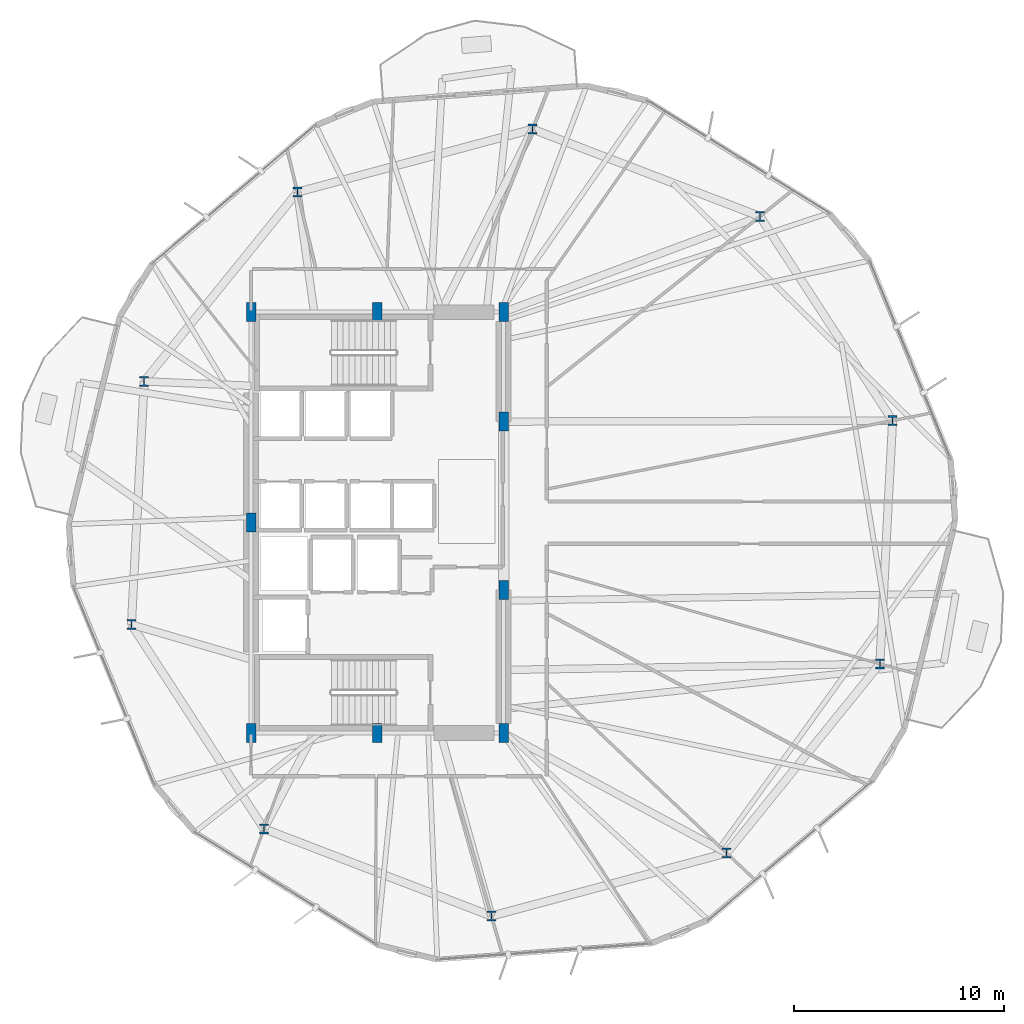
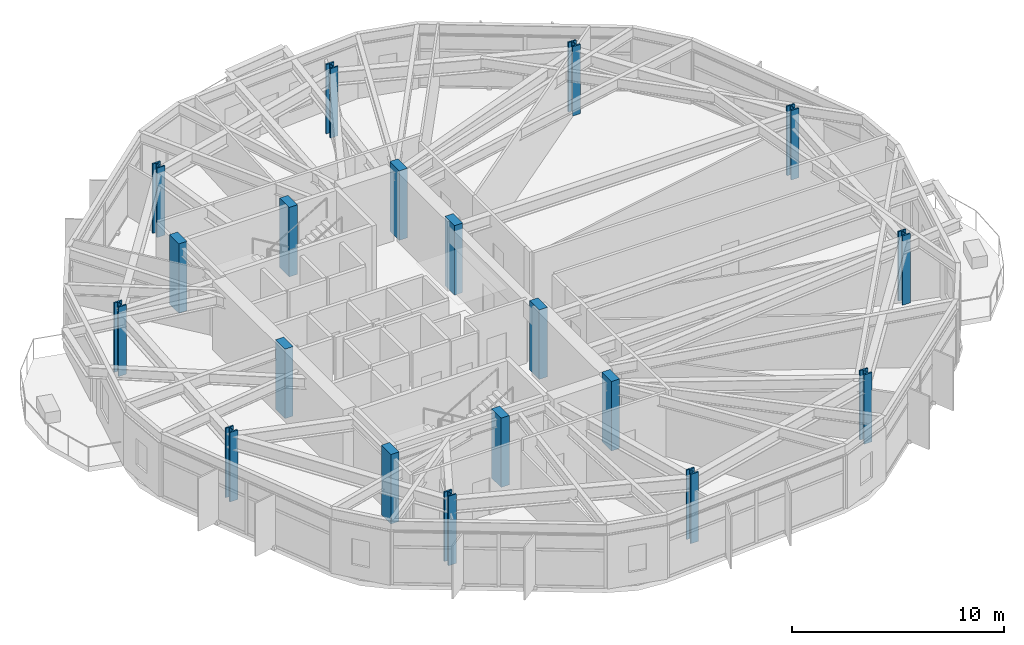
# One storey, part 1 of 22: 19 columns.
"""IFC4 building model written with IfcOpenShell, lengths in metres."""

from ifc_helpers import new_model, si_unit, direction, frame, origin, origin_2d, place, context, subcontext, project, spatial, rectangle, i_section, extrude, material, material_profile, profile_set, type_object, element, save


model = new_model("IFC4")

# Units and contexts
model_context = context("Model", 3, precision=1e-05, world=origin(), true_north=direction((0.0, 1.0)))
body_context = subcontext(model_context, "Body", "Model", "MODEL_VIEW")
ifc_project = project(units=[si_unit("LENGTHUNIT", "METRE"), si_unit("AREAUNIT", "SQUARE_METRE"), si_unit("VOLUMEUNIT", "CUBIC_METRE"), si_unit("PLANEANGLEUNIT", "RADIAN"), si_unit("MASSUNIT", "GRAM", prefix="KILO")], contexts=[model_context])

# Site, building, storey
site_placement = place(None, origin())
site = spatial("IfcSite", under=ifc_project, at=site_placement, CompositionType="ELEMENT")
building_placement = place(site_placement, origin())
building = spatial("IfcBuilding", under=site, at=building_placement, Name="Soratama Intermodal Tower", CompositionType="ELEMENT")
storey_placement = place(building_placement, frame((0.0, 0.0, 46.60009765625)))
storey = spatial("IfcBuildingStorey", under=building, at=storey_placement, Name="L10", CompositionType="ELEMENT", Elevation=46.60009765625)

# Columns
ifc_material_1 = material(Name="Structural steel ASTM A992 Grade 50", Category="steel")
ifc_material_profile_1 = material_profile(ifc_material_1, i_section(OverallWidth=0.424072265625, OverallDepth=0.47412109375, WebThickness=0.047607421875, FlangeThickness=0.0771484375, FilletRadius=0.0380859375, at=origin_2d()), Name="W14X426")
ifc_profile_set_1 = profile_set([ifc_material_profile_1], Name="Structural steel ASTM A992 Grade 50")
column_type_1 = type_object("IfcColumnType", Name="COL-ZA-W14X426", PredefinedType="COLUMN", material=ifc_profile_set_1)
for number, where, z_axis, x_axis, name in (
    (1, (63.08203125, 29.84521484375, 0.0), (0.0, 0.0, 1.0), (1.0, 0.0, 0.0), "L10 Tower Ring Column R01"),
    (2, (56.781005859375, 39.548095703125, 0.0), (0.0, 0.0, 1.0), (1.0, 0.0, 0.0), "L10 Tower Ring Column R02"),
    (3, (45.979736328125, 43.6943359375, 0.0), (0.0, 0.0, 1.0), (1.0, 0.0, 0.0), "L10 Tower Ring Column R03"),
    (4, (34.804443359375, 40.699951171875, 0.0), (0.0, 0.0, 1.0), (1.0, 0.0, 0.0), "L10 Tower Ring Column R04"),
    (5, (27.5234375, 31.70849609375, 0.0), (0.0, 0.0, 1.0), (1.0, 0.0, 0.0), "L10 Tower Ring Column R05"),
    (6, (26.91796875, 20.15478515625, 0.0), (0.0, 0.0, 1.0), (1.0, 0.0, 0.0), "L10 Tower Ring Column R06"),
    (7, (33.218994140625, 10.451904296875, 0.0), (0.0, 0.0, 1.0), (1.0, 0.0, 0.0), "L10 Tower Ring Column R07"),
    (8, (44.020263671875, 6.3056640625, 0.0), (0.0, 0.0, 1.0), (1.0, 0.0, 0.0), "L10 Tower Ring Column R08"),
    (9, (55.195556640625, 9.300048828125, 0.0), (0.0, 0.0, 1.0), (1.0, 0.0, 0.0), "L10 Tower Ring Column R09"),
    (10, (62.4765625, 18.29150390625, 0.0), (0.0, 0.0, 1.0), (1.0, 0.0, 0.0), "L10 Tower Ring Column R10"),
):
    element("IfcColumn", number, at=place(storey_placement, frame(where, z_axis=z_axis, x_axis=x_axis)), inside=storey, type_object=column_type_1, Name=name, PredefinedType="COLUMN", context=body_context, shape_type="SweptSolid", body=[
        extrude(i_section(OverallWidth=0.424072265625, OverallDepth=0.47412109375, WebThickness=0.047607421875, FlangeThickness=0.0771484375, FilletRadius=0.0380859375, at=origin_2d()), origin(), (0.0, 0.0, 1.0), 4.0),
    ])
ifc_material_2 = material(Name="Concrete f'c 56 MPa", Category="concrete")
ifc_material_profile_2 = material_profile(ifc_material_2, rectangle(XDim=0.449951171875, YDim=0.89990234375, at=origin_2d()), Name="RC450X900")
ifc_profile_set_2 = profile_set([ifc_material_profile_2], Name="Concrete f'c 56 MPa")
column_type_2 = type_object("IfcColumnType", Name="PIL-CORE-450X900", PredefinedType="PILASTER", material=ifc_profile_set_2)
for number, where, z_axis, x_axis, name in (
    (11, (32.60009765625, 15.0, 0.0), (0.0, 0.0, 1.0), (1.0, 0.0, 0.0), "L10 Core Pilaster 1"),
    (12, (32.60009765625, 25.0, 0.0), (0.0, 0.0, 1.0), (1.0, 0.0, 0.0), "L10 Core Pilaster 2"),
    (13, (32.60009765625, 35.0, 0.0), (0.0, 0.0, 1.0), (1.0, 0.0, 0.0), "L10 Core Pilaster 3"),
    (14, (38.60009765625, 15.0, 0.0), (0.0, 0.0, 1.0), (1.0, 0.0, 0.0), "L10 Core Pilaster 4"),
    (15, (38.60009765625, 35.0, 0.0), (0.0, 0.0, 1.0), (1.0, 0.0, 0.0), "L10 Core Pilaster 5"),
    (16, (44.60009765625, 15.0, 0.0), (0.0, 0.0, 1.0), (1.0, 0.0, 0.0), "L10 Core Pilaster 6"),
    (17, (44.60009765625, 21.800048828125, 0.0), (0.0, 0.0, 1.0), (1.0, 0.0, 0.0), "L10 Core Pilaster 7"),
    (18, (44.60009765625, 29.800048828125, 0.0), (0.0, 0.0, 1.0), (1.0, 0.0, 0.0), "L10 Core Pilaster 8"),
    (19, (44.60009765625, 35.0, 0.0), (0.0, 0.0, 1.0), (1.0, 0.0, 0.0), "L10 Core Pilaster 9"),
):
    element("IfcColumn", number, at=place(storey_placement, frame(where, z_axis=z_axis, x_axis=x_axis)), inside=storey, type_object=column_type_2, Name=name, PredefinedType="PILASTER", context=body_context, shape_type="SweptSolid", body=[
        extrude(rectangle(XDim=0.449951171875, YDim=0.89990234375, at=origin_2d()), origin(), (0.0, 0.0, 1.0), 4.0),
    ])

save(model, "model.ifc")
